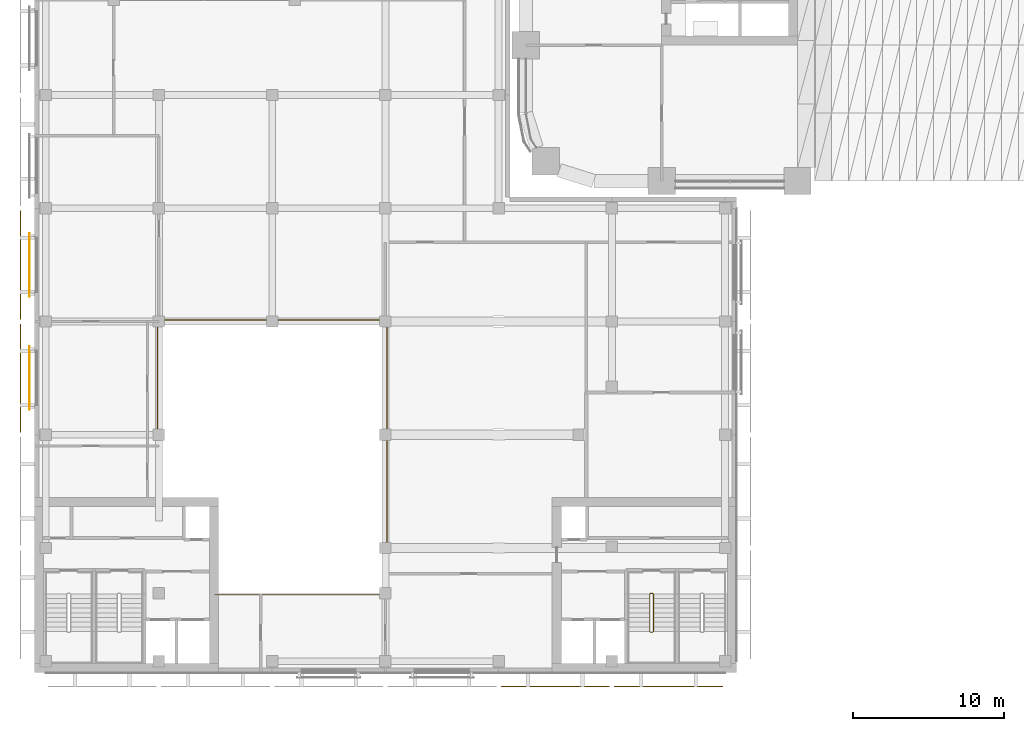
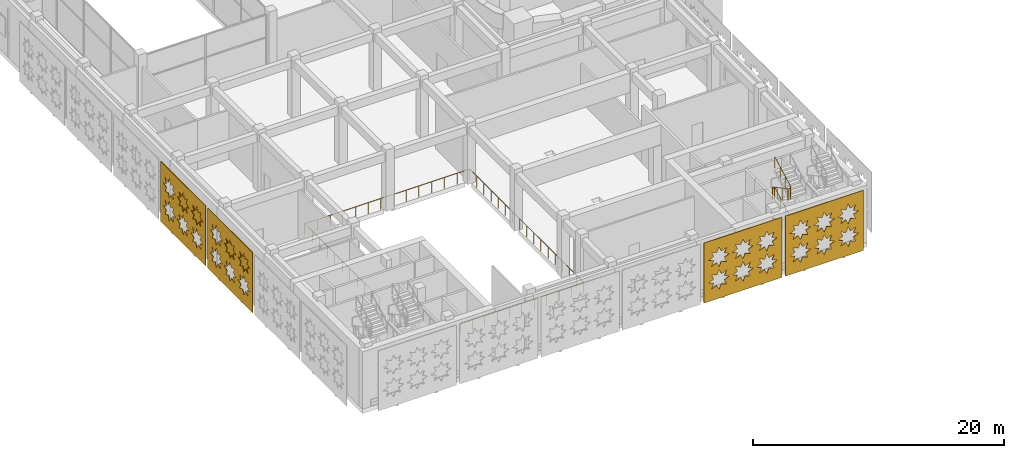
# One storey, part 30 of 46: 6 coverings, 2 railings.
"""IFC4 building model written with IfcOpenShell, lengths in metres."""

from ifc_helpers import new_model, si_unit, direction, frame, origin, origin_2d, place, context, subcontext, project, spatial, polyline, rectangle, circle, outline, extrude, material, layer, layer_set, type_object, element, save


model = new_model("IFC4")

# Units and contexts
model_context = context("Model", 3, precision=1e-05, world=origin(), true_north=direction((0.0, 1.0)))
body_context = subcontext(model_context, "Body", "Model", "MODEL_VIEW")
ifc_project = project(units=[si_unit("LENGTHUNIT", "METRE"), si_unit("AREAUNIT", "SQUARE_METRE"), si_unit("VOLUMEUNIT", "CUBIC_METRE"), si_unit("PLANEANGLEUNIT", "RADIAN"), si_unit("MASSUNIT", "GRAM", prefix="KILO")], contexts=[model_context])

# Site, building, storey
site_placement = place(None, origin())
site = spatial("IfcSite", under=ifc_project, at=site_placement, CompositionType="ELEMENT")
building_placement = place(site_placement, origin())
building = spatial("IfcBuilding", under=site, at=building_placement, Name="Tessera Arch", CompositionType="ELEMENT")
storey_placement = place(building_placement, frame((0.0, 0.0, 8.0)))
storey = spatial("IfcBuildingStorey", under=building, at=storey_placement, Name="L01", CompositionType="ELEMENT", Elevation=8.0)

# Coverings
ifc_material_1 = material(Name="Anodised aluminium pale metal", Category="aluminium")
ifc_layer_1 = layer(ifc_material_1, 0.050048828125)
ifc_layer_set_1 = layer_set([ifc_layer_1], Name="Museum lattice skin panel")
covering_type_1 = type_object("IfcCoveringType", Name="Museum lattice skin panel", PredefinedType="CLADDING", material=ifc_layer_set_1)
covering_1_placement = place(storey_placement, frame((-1.64990234375, -33.449951171875, 5.949951171875), z_axis=(0.0, 1.0, 0.0), x_axis=(1.0, 0.0, 0.0)))
element("IfcCovering", 1, at=covering_1_placement, inside=storey, type_object=covering_type_1, Name="Museum lattice skin L01 1-6", PredefinedType="CLADDING", context=body_context, shape_type="SweptSolid", body=[
    extrude(outline(polyline([(0.0, 0.0), (7.199951171875, 0.0), (7.199951171875, 5.849853515625), (0.0, 5.849853515625), (0.0, 0.0)]), holes=[polyline([(2.367919921875, 4.02490234375), (1.887939453125, 3.822998046875), (2.083984375, 3.341064453125), (1.601806640625, 3.536865234375), (1.39990234375, 3.056884765625), (1.197998046875, 3.536865234375), (0.7158203125, 3.341064453125), (0.911865234375, 3.822998046875), (0.431884765625, 4.02490234375), (0.911865234375, 4.22705078125), (0.7158203125, 4.708984375), (1.197998046875, 4.512939453125), (1.39990234375, 4.992919921875), (1.601806640625, 4.512939453125), (2.083984375, 4.708984375), (1.887939453125, 4.22705078125), (2.367919921875, 4.02490234375)]), polyline([(2.367919921875, 1.824951171875), (1.887939453125, 1.623046875), (2.083984375, 1.140869140625), (1.601806640625, 1.3369140625), (1.39990234375, 0.85693359375), (1.197998046875, 1.3369140625), (0.7158203125, 1.140869140625), (0.911865234375, 1.623046875), (0.431884765625, 1.824951171875), (0.911865234375, 2.02685546875), (0.7158203125, 2.509033203125), (1.197998046875, 2.31298828125), (1.39990234375, 2.79296875), (1.601806640625, 2.31298828125), (2.083984375, 2.509033203125), (1.887939453125, 2.02685546875), (2.367919921875, 1.824951171875)]), polyline([(4.56787109375, 4.02490234375), (4.087890625, 3.822998046875), (4.283935546875, 3.341064453125), (3.802001953125, 3.536865234375), (3.599853515625, 3.056884765625), (3.39794921875, 3.536865234375), (2.916015625, 3.341064453125), (3.11181640625, 3.822998046875), (2.6318359375, 4.02490234375), (3.11181640625, 4.22705078125), (2.916015625, 4.708984375), (3.39794921875, 4.512939453125), (3.599853515625, 4.992919921875), (3.802001953125, 4.512939453125), (4.283935546875, 4.708984375), (4.087890625, 4.22705078125), (4.56787109375, 4.02490234375)]), polyline([(4.56787109375, 1.824951171875), (4.087890625, 1.623046875), (4.283935546875, 1.140869140625), (3.802001953125, 1.3369140625), (3.599853515625, 0.85693359375), (3.39794921875, 1.3369140625), (2.916015625, 1.140869140625), (3.11181640625, 1.623046875), (2.6318359375, 1.824951171875), (3.11181640625, 2.02685546875), (2.916015625, 2.509033203125), (3.39794921875, 2.31298828125), (3.599853515625, 2.79296875), (3.802001953125, 2.31298828125), (4.283935546875, 2.509033203125), (4.087890625, 2.02685546875), (4.56787109375, 1.824951171875)]), polyline([(6.767822265625, 4.02490234375), (6.287841796875, 3.822998046875), (6.48388671875, 3.341064453125), (6.001953125, 3.536865234375), (5.7998046875, 3.056884765625), (5.597900390625, 3.536865234375), (5.115966796875, 3.341064453125), (5.31201171875, 3.822998046875), (4.831787109375, 4.02490234375), (5.31201171875, 4.22705078125), (5.115966796875, 4.708984375), (5.597900390625, 4.512939453125), (5.7998046875, 4.992919921875), (6.001953125, 4.512939453125), (6.48388671875, 4.708984375), (6.287841796875, 4.22705078125), (6.767822265625, 4.02490234375)]), polyline([(6.767822265625, 1.824951171875), (6.287841796875, 1.623046875), (6.48388671875, 1.140869140625), (6.001953125, 1.3369140625), (5.7998046875, 0.85693359375), (5.597900390625, 1.3369140625), (5.115966796875, 1.140869140625), (5.31201171875, 1.623046875), (4.831787109375, 1.824951171875), (5.31201171875, 2.02685546875), (5.115966796875, 2.509033203125), (5.597900390625, 2.31298828125), (5.7998046875, 2.79296875), (6.001953125, 2.31298828125), (6.48388671875, 2.509033203125), (6.287841796875, 2.02685546875), (6.767822265625, 1.824951171875)])]), origin(), (0.0, 0.0, -1.0), 0.050048828125),
])
covering_2_placement = place(storey_placement, frame((5.85009765625, -33.449951171875, 5.949951171875), z_axis=(0.0, 1.0, 0.0), x_axis=(1.0, 0.0, 0.0)))
element("IfcCovering", 2, at=covering_2_placement, inside=storey, type_object=covering_type_1, Name="Museum lattice skin L01 1-7", PredefinedType="CLADDING", context=body_context, shape_type="SweptSolid", body=[
    extrude(outline(polyline([(0.0, 0.0), (7.199951171875, 0.0), (7.199951171875, 5.849853515625), (0.0, 5.849853515625), (0.0, 0.0)]), holes=[polyline([(2.367919921875, 4.02490234375), (1.887939453125, 3.822998046875), (2.083984375, 3.341064453125), (1.601806640625, 3.536865234375), (1.39990234375, 3.056884765625), (1.197998046875, 3.536865234375), (0.7158203125, 3.341064453125), (0.911865234375, 3.822998046875), (0.431884765625, 4.02490234375), (0.911865234375, 4.22705078125), (0.7158203125, 4.708984375), (1.197998046875, 4.512939453125), (1.39990234375, 4.992919921875), (1.601806640625, 4.512939453125), (2.083984375, 4.708984375), (1.887939453125, 4.22705078125), (2.367919921875, 4.02490234375)]), polyline([(2.367919921875, 1.824951171875), (1.887939453125, 1.623046875), (2.083984375, 1.140869140625), (1.601806640625, 1.3369140625), (1.39990234375, 0.85693359375), (1.197998046875, 1.3369140625), (0.7158203125, 1.140869140625), (0.911865234375, 1.623046875), (0.431884765625, 1.824951171875), (0.911865234375, 2.02685546875), (0.7158203125, 2.509033203125), (1.197998046875, 2.31298828125), (1.39990234375, 2.79296875), (1.601806640625, 2.31298828125), (2.083984375, 2.509033203125), (1.887939453125, 2.02685546875), (2.367919921875, 1.824951171875)]), polyline([(4.56787109375, 4.02490234375), (4.087890625, 3.822998046875), (4.283935546875, 3.341064453125), (3.802001953125, 3.536865234375), (3.599853515625, 3.056884765625), (3.39794921875, 3.536865234375), (2.916015625, 3.341064453125), (3.11181640625, 3.822998046875), (2.6318359375, 4.02490234375), (3.11181640625, 4.22705078125), (2.916015625, 4.708984375), (3.39794921875, 4.512939453125), (3.599853515625, 4.992919921875), (3.802001953125, 4.512939453125), (4.283935546875, 4.708984375), (4.087890625, 4.22705078125), (4.56787109375, 4.02490234375)]), polyline([(4.56787109375, 1.824951171875), (4.087890625, 1.623046875), (4.283935546875, 1.140869140625), (3.802001953125, 1.3369140625), (3.599853515625, 0.85693359375), (3.39794921875, 1.3369140625), (2.916015625, 1.140869140625), (3.11181640625, 1.623046875), (2.6318359375, 1.824951171875), (3.11181640625, 2.02685546875), (2.916015625, 2.509033203125), (3.39794921875, 2.31298828125), (3.599853515625, 2.79296875), (3.802001953125, 2.31298828125), (4.283935546875, 2.509033203125), (4.087890625, 2.02685546875), (4.56787109375, 1.824951171875)]), polyline([(6.767822265625, 4.02490234375), (6.287841796875, 3.822998046875), (6.48388671875, 3.341064453125), (6.001953125, 3.536865234375), (5.7998046875, 3.056884765625), (5.597900390625, 3.536865234375), (5.115966796875, 3.341064453125), (5.31201171875, 3.822998046875), (4.831787109375, 4.02490234375), (5.31201171875, 4.22705078125), (5.115966796875, 4.708984375), (5.597900390625, 4.512939453125), (5.7998046875, 4.992919921875), (6.001953125, 4.512939453125), (6.48388671875, 4.708984375), (6.287841796875, 4.22705078125), (6.767822265625, 4.02490234375)]), polyline([(6.767822265625, 1.824951171875), (6.287841796875, 1.623046875), (6.48388671875, 1.140869140625), (6.001953125, 1.3369140625), (5.7998046875, 0.85693359375), (5.597900390625, 1.3369140625), (5.115966796875, 1.140869140625), (5.31201171875, 1.623046875), (4.831787109375, 1.824951171875), (5.31201171875, 2.02685546875), (5.115966796875, 2.509033203125), (5.597900390625, 2.31298828125), (5.7998046875, 2.79296875), (6.001953125, 2.31298828125), (6.48388671875, 2.509033203125), (6.287841796875, 2.02685546875), (6.767822265625, 1.824951171875)])]), origin(), (0.0, 0.0, -1.0), 0.050048828125),
])
covering_3_placement = place(storey_placement, frame((-33.449951171875, -1.949951171875, 5.949951171875), z_axis=(1.0, 0.0, 0.0), x_axis=(0.0, -1.0, 0.0)))
element("IfcCovering", 3, at=covering_3_placement, inside=storey, type_object=covering_type_1, Name="Museum lattice skin L01 6-10", PredefinedType="CLADDING", context=body_context, shape_type="SweptSolid", body=[
    extrude(outline(polyline([(0.0, 0.0), (7.199951171875, 0.0), (7.199951171875, 5.849853515625), (0.0, 5.849853515625), (0.0, 0.0)]), holes=[polyline([(2.3681640625, 4.02490234375), (1.887939453125, 3.822998046875), (2.083984375, 3.341064453125), (1.60205078125, 3.536865234375), (1.400146484375, 3.056884765625), (1.197998046875, 3.536865234375), (0.716064453125, 3.341064453125), (0.912109375, 3.822998046875), (0.43212890625, 4.02490234375), (0.912109375, 4.22705078125), (0.716064453125, 4.708984375), (1.197998046875, 4.512939453125), (1.400146484375, 4.992919921875), (1.60205078125, 4.512939453125), (2.083984375, 4.708984375), (1.887939453125, 4.22705078125), (2.3681640625, 4.02490234375)]), polyline([(2.3681640625, 1.824951171875), (1.887939453125, 1.623046875), (2.083984375, 1.140869140625), (1.60205078125, 1.3369140625), (1.400146484375, 0.85693359375), (1.197998046875, 1.3369140625), (0.716064453125, 1.140869140625), (0.912109375, 1.623046875), (0.43212890625, 1.824951171875), (0.912109375, 2.02685546875), (0.716064453125, 2.509033203125), (1.197998046875, 2.31298828125), (1.400146484375, 2.79296875), (1.60205078125, 2.31298828125), (2.083984375, 2.509033203125), (1.887939453125, 2.02685546875), (2.3681640625, 1.824951171875)]), polyline([(4.568115234375, 4.02490234375), (4.088134765625, 3.822998046875), (4.283935546875, 3.341064453125), (3.802001953125, 3.536865234375), (3.60009765625, 3.056884765625), (3.39794921875, 3.536865234375), (2.916015625, 3.341064453125), (3.112060546875, 3.822998046875), (2.632080078125, 4.02490234375), (3.112060546875, 4.22705078125), (2.916015625, 4.708984375), (3.39794921875, 4.512939453125), (3.60009765625, 4.992919921875), (3.802001953125, 4.512939453125), (4.283935546875, 4.708984375), (4.088134765625, 4.22705078125), (4.568115234375, 4.02490234375)]), polyline([(4.568115234375, 1.824951171875), (4.088134765625, 1.623046875), (4.283935546875, 1.140869140625), (3.802001953125, 1.3369140625), (3.60009765625, 0.85693359375), (3.39794921875, 1.3369140625), (2.916015625, 1.140869140625), (3.112060546875, 1.623046875), (2.632080078125, 1.824951171875), (3.112060546875, 2.02685546875), (2.916015625, 2.509033203125), (3.39794921875, 2.31298828125), (3.60009765625, 2.79296875), (3.802001953125, 2.31298828125), (4.283935546875, 2.509033203125), (4.088134765625, 2.02685546875), (4.568115234375, 1.824951171875)]), polyline([(6.76806640625, 4.02490234375), (6.2880859375, 3.822998046875), (6.484130859375, 3.341064453125), (6.001953125, 3.536865234375), (5.800048828125, 3.056884765625), (5.59814453125, 3.536865234375), (5.115966796875, 3.341064453125), (5.31201171875, 3.822998046875), (4.83203125, 4.02490234375), (5.31201171875, 4.22705078125), (5.115966796875, 4.708984375), (5.59814453125, 4.512939453125), (5.800048828125, 4.992919921875), (6.001953125, 4.512939453125), (6.484130859375, 4.708984375), (6.2880859375, 4.22705078125), (6.76806640625, 4.02490234375)]), polyline([(6.76806640625, 1.824951171875), (6.2880859375, 1.623046875), (6.484130859375, 1.140869140625), (6.001953125, 1.3369140625), (5.800048828125, 0.85693359375), (5.59814453125, 1.3369140625), (5.115966796875, 1.140869140625), (5.31201171875, 1.623046875), (4.83203125, 1.824951171875), (5.31201171875, 2.02685546875), (5.115966796875, 2.509033203125), (5.59814453125, 2.31298828125), (5.800048828125, 2.79296875), (6.001953125, 2.31298828125), (6.484130859375, 2.509033203125), (6.2880859375, 2.02685546875), (6.76806640625, 1.824951171875)])]), origin(), (0.0, 0.0, -1.0), 0.050048828125),
])
covering_4_placement = place(storey_placement, frame((-33.449951171875, -9.449951171875, 5.949951171875), z_axis=(1.0, 0.0, 0.0), x_axis=(0.0, -1.0, 0.0)))
element("IfcCovering", 4, at=covering_4_placement, inside=storey, type_object=covering_type_1, Name="Museum lattice skin L01 6-11", PredefinedType="CLADDING", context=body_context, shape_type="SweptSolid", body=[
    extrude(outline(polyline([(0.0, 0.0), (7.199951171875, 0.0), (7.199951171875, 5.849853515625), (0.0, 5.849853515625), (0.0, 0.0)]), holes=[polyline([(2.3681640625, 4.02490234375), (1.887939453125, 3.822998046875), (2.083984375, 3.341064453125), (1.60205078125, 3.536865234375), (1.400146484375, 3.056884765625), (1.197998046875, 3.536865234375), (0.716064453125, 3.341064453125), (0.912109375, 3.822998046875), (0.43212890625, 4.02490234375), (0.912109375, 4.22705078125), (0.716064453125, 4.708984375), (1.197998046875, 4.512939453125), (1.400146484375, 4.992919921875), (1.60205078125, 4.512939453125), (2.083984375, 4.708984375), (1.887939453125, 4.22705078125), (2.3681640625, 4.02490234375)]), polyline([(2.3681640625, 1.824951171875), (1.887939453125, 1.623046875), (2.083984375, 1.140869140625), (1.60205078125, 1.3369140625), (1.400146484375, 0.85693359375), (1.197998046875, 1.3369140625), (0.716064453125, 1.140869140625), (0.912109375, 1.623046875), (0.43212890625, 1.824951171875), (0.912109375, 2.02685546875), (0.716064453125, 2.509033203125), (1.197998046875, 2.31298828125), (1.400146484375, 2.79296875), (1.60205078125, 2.31298828125), (2.083984375, 2.509033203125), (1.887939453125, 2.02685546875), (2.3681640625, 1.824951171875)]), polyline([(4.568115234375, 4.02490234375), (4.088134765625, 3.822998046875), (4.283935546875, 3.341064453125), (3.802001953125, 3.536865234375), (3.60009765625, 3.056884765625), (3.39794921875, 3.536865234375), (2.916015625, 3.341064453125), (3.112060546875, 3.822998046875), (2.632080078125, 4.02490234375), (3.112060546875, 4.22705078125), (2.916015625, 4.708984375), (3.39794921875, 4.512939453125), (3.60009765625, 4.992919921875), (3.802001953125, 4.512939453125), (4.283935546875, 4.708984375), (4.088134765625, 4.22705078125), (4.568115234375, 4.02490234375)]), polyline([(4.568115234375, 1.824951171875), (4.088134765625, 1.623046875), (4.283935546875, 1.140869140625), (3.802001953125, 1.3369140625), (3.60009765625, 0.85693359375), (3.39794921875, 1.3369140625), (2.916015625, 1.140869140625), (3.112060546875, 1.623046875), (2.632080078125, 1.824951171875), (3.112060546875, 2.02685546875), (2.916015625, 2.509033203125), (3.39794921875, 2.31298828125), (3.60009765625, 2.79296875), (3.802001953125, 2.31298828125), (4.283935546875, 2.509033203125), (4.088134765625, 2.02685546875), (4.568115234375, 1.824951171875)]), polyline([(6.76806640625, 4.02490234375), (6.2880859375, 3.822998046875), (6.484130859375, 3.341064453125), (6.001953125, 3.536865234375), (5.800048828125, 3.056884765625), (5.59814453125, 3.536865234375), (5.115966796875, 3.341064453125), (5.31201171875, 3.822998046875), (4.83203125, 4.02490234375), (5.31201171875, 4.22705078125), (5.115966796875, 4.708984375), (5.59814453125, 4.512939453125), (5.800048828125, 4.992919921875), (6.001953125, 4.512939453125), (6.484130859375, 4.708984375), (6.2880859375, 4.22705078125), (6.76806640625, 4.02490234375)]), polyline([(6.76806640625, 1.824951171875), (6.2880859375, 1.623046875), (6.484130859375, 1.140869140625), (6.001953125, 1.3369140625), (5.800048828125, 0.85693359375), (5.59814453125, 1.3369140625), (5.115966796875, 1.140869140625), (5.31201171875, 1.623046875), (4.83203125, 1.824951171875), (5.31201171875, 2.02685546875), (5.115966796875, 2.509033203125), (5.59814453125, 2.31298828125), (5.800048828125, 2.79296875), (6.001953125, 2.31298828125), (6.484130859375, 2.509033203125), (6.2880859375, 2.02685546875), (6.76806640625, 1.824951171875)])]), origin(), (0.0, 0.0, -1.0), 0.050048828125),
])

# Railing
ifc_material_2 = material(Name="Stainless steel and clear glass", Category="steel")
railing_type_1 = type_object("IfcRailingType", Name="Museum roof guard 1100", PredefinedType="GUARDRAIL", material=ifc_material_2)
railing_1_placement = place(storey_placement, frame((-24.39990234375, -21.199951171875, 0.0)))
element("IfcRailing", 5, at=railing_1_placement, inside=storey, type_object=railing_type_1, Name="Atrium guard L01", PredefinedType="GUARDRAIL", context=body_context, shape_type="SweptSolid", body=[
    extrude(circle(Radius=0.02490234375, at=origin_2d()), frame((0.0, -0.00390625, 1.0751953125), z_axis=(0.0, 1.0, 0.0), x_axis=(-1.0, 0.0, 0.0)), (0.0, 0.0, 1.0), 12.008056640625),
    extrude(circle(Radius=0.02490234375, at=origin_2d()), frame((-0.00390625, 12.0, 1.0751953125), z_axis=(1.0, 0.0, 0.0), x_axis=(0.0, 1.0, 0.0)), (0.0, 0.0, 1.0), 15.2080078125),
    extrude(circle(Radius=0.02490234375, at=origin_2d()), frame((15.199951171875, 12.00390625, 1.0751953125), z_axis=(0.0, -1.0, 0.0), x_axis=(1.0, 0.0, 0.0)), (0.0, 0.0, 1.0), 18.2080078125),
    extrude(circle(Radius=0.02490234375, at=origin_2d()), frame((15.203857421875, -6.199951171875, 1.0751953125), z_axis=(-1.0, 0.0, 0.0), x_axis=(0.0, -1.0, 0.0)), (0.0, 0.0, 1.0), 11.408203125),
    extrude(circle(Radius=0.02001953125, at=origin_2d()), origin(), (0.0, 0.0, 1.0), 1.06201171875),
    extrude(circle(Radius=0.02001953125, at=origin_2d()), frame((0.0, 1.199951171875, 0.0)), (0.0, 0.0, 1.0), 1.06201171875),
    extrude(circle(Radius=0.02001953125, at=origin_2d()), frame((0.0, 2.39990234375, 0.0)), (0.0, 0.0, 1.0), 1.06201171875),
    extrude(circle(Radius=0.02001953125, at=origin_2d()), frame((0.0, 3.60009765625, 0.0)), (0.0, 0.0, 1.0), 1.06201171875),
    extrude(circle(Radius=0.02001953125, at=origin_2d()), frame((0.0, 4.800048828125, 0.0)), (0.0, 0.0, 1.0), 1.06201171875),
    extrude(circle(Radius=0.02001953125, at=origin_2d()), frame((0.0, 6.0, 0.0)), (0.0, 0.0, 1.0), 1.06201171875),
    extrude(circle(Radius=0.02001953125, at=origin_2d()), frame((0.0, 7.199951171875, 0.0)), (0.0, 0.0, 1.0), 1.06201171875),
    extrude(circle(Radius=0.02001953125, at=origin_2d()), frame((0.0, 8.39990234375, 0.0)), (0.0, 0.0, 1.0), 1.06201171875),
    extrude(circle(Radius=0.02001953125, at=origin_2d()), frame((0.0, 9.60009765625, 0.0)), (0.0, 0.0, 1.0), 1.06201171875),
    extrude(circle(Radius=0.02001953125, at=origin_2d()), frame((0.0, 10.800048828125, 0.0)), (0.0, 0.0, 1.0), 1.06201171875),
    extrude(circle(Radius=0.02001953125, at=origin_2d()), frame((0.0, 12.0, 0.0)), (0.0, 0.0, 1.0), 1.06201171875),
    extrude(circle(Radius=0.02001953125, at=origin_2d()), frame((1.169189453125, 12.0, 0.0)), (0.0, 0.0, 1.0), 1.06201171875),
    extrude(circle(Radius=0.02001953125, at=origin_2d()), frame((2.33837890625, 12.0, 0.0)), (0.0, 0.0, 1.0), 1.06201171875),
    extrude(circle(Radius=0.02001953125, at=origin_2d()), frame((3.507568359375, 12.0, 0.0)), (0.0, 0.0, 1.0), 1.06201171875),
    extrude(circle(Radius=0.02001953125, at=origin_2d()), frame((4.677001953125, 12.0, 0.0)), (0.0, 0.0, 1.0), 1.06201171875),
    extrude(circle(Radius=0.02001953125, at=origin_2d()), frame((5.84619140625, 12.0, 0.0)), (0.0, 0.0, 1.0), 1.06201171875),
    extrude(circle(Radius=0.02001953125, at=origin_2d()), frame((7.015380859375, 12.0, 0.0)), (0.0, 0.0, 1.0), 1.06201171875),
    extrude(circle(Radius=0.02001953125, at=origin_2d()), frame((8.1845703125, 12.0, 0.0)), (0.0, 0.0, 1.0), 1.06201171875),
    extrude(circle(Radius=0.02001953125, at=origin_2d()), frame((9.353759765625, 12.0, 0.0)), (0.0, 0.0, 1.0), 1.06201171875),
    extrude(circle(Radius=0.02001953125, at=origin_2d()), frame((10.52294921875, 12.0, 0.0)), (0.0, 0.0, 1.0), 1.06201171875),
    extrude(circle(Radius=0.02001953125, at=origin_2d()), frame((11.6923828125, 12.0, 0.0)), (0.0, 0.0, 1.0), 1.06201171875),
    extrude(circle(Radius=0.02001953125, at=origin_2d()), frame((12.861572265625, 12.0, 0.0)), (0.0, 0.0, 1.0), 1.06201171875),
    extrude(circle(Radius=0.02001953125, at=origin_2d()), frame((14.03076171875, 12.0, 0.0)), (0.0, 0.0, 1.0), 1.06201171875),
    extrude(circle(Radius=0.02001953125, at=origin_2d()), frame((15.199951171875, 12.0, 0.0)), (0.0, 0.0, 1.0), 1.06201171875),
    extrude(circle(Radius=0.02001953125, at=origin_2d()), frame((15.199951171875, 10.862548828125, 0.0)), (0.0, 0.0, 1.0), 1.06201171875),
    extrude(circle(Radius=0.02001953125, at=origin_2d()), frame((15.199951171875, 9.72509765625, 0.0)), (0.0, 0.0, 1.0), 1.06201171875),
    extrude(circle(Radius=0.02001953125, at=origin_2d()), frame((15.199951171875, 8.58740234375, 0.0)), (0.0, 0.0, 1.0), 1.06201171875),
    extrude(circle(Radius=0.02001953125, at=origin_2d()), frame((15.199951171875, 7.449951171875, 0.0)), (0.0, 0.0, 1.0), 1.06201171875),
    extrude(circle(Radius=0.02001953125, at=origin_2d()), frame((15.199951171875, 6.3125, 0.0)), (0.0, 0.0, 1.0), 1.06201171875),
    extrude(circle(Radius=0.02001953125, at=origin_2d()), frame((15.199951171875, 5.175048828125, 0.0)), (0.0, 0.0, 1.0), 1.06201171875),
    extrude(circle(Radius=0.02001953125, at=origin_2d()), frame((15.199951171875, 4.03759765625, 0.0)), (0.0, 0.0, 1.0), 1.06201171875),
    extrude(circle(Radius=0.02001953125, at=origin_2d()), frame((15.199951171875, 2.89990234375, 0.0)), (0.0, 0.0, 1.0), 1.06201171875),
    extrude(circle(Radius=0.02001953125, at=origin_2d()), frame((15.199951171875, 1.762451171875, 0.0)), (0.0, 0.0, 1.0), 1.06201171875),
    extrude(circle(Radius=0.02001953125, at=origin_2d()), frame((15.199951171875, 0.625, 0.0)), (0.0, 0.0, 1.0), 1.06201171875),
    extrude(circle(Radius=0.02001953125, at=origin_2d()), frame((15.199951171875, -0.512451171875, 0.0)), (0.0, 0.0, 1.0), 1.06201171875),
    extrude(circle(Radius=0.02001953125, at=origin_2d()), frame((15.199951171875, -1.64990234375, 0.0)), (0.0, 0.0, 1.0), 1.06201171875),
    extrude(circle(Radius=0.02001953125, at=origin_2d()), frame((15.199951171875, -2.787353515625, 0.0)), (0.0, 0.0, 1.0), 1.06201171875),
    extrude(circle(Radius=0.02001953125, at=origin_2d()), frame((15.199951171875, -3.925048828125, 0.0)), (0.0, 0.0, 1.0), 1.06201171875),
    extrude(circle(Radius=0.02001953125, at=origin_2d()), frame((15.199951171875, -5.0625, 0.0)), (0.0, 0.0, 1.0), 1.06201171875),
    extrude(circle(Radius=0.02001953125, at=origin_2d()), frame((15.199951171875, -6.199951171875, 0.0)), (0.0, 0.0, 1.0), 1.06201171875),
    extrude(circle(Radius=0.02001953125, at=origin_2d()), frame((14.06005859375, -6.199951171875, 0.0)), (0.0, 0.0, 1.0), 1.06201171875),
    extrude(circle(Radius=0.02001953125, at=origin_2d()), frame((12.919921875, -6.199951171875, 0.0)), (0.0, 0.0, 1.0), 1.06201171875),
    extrude(circle(Radius=0.02001953125, at=origin_2d()), frame((11.77978515625, -6.199951171875, 0.0)), (0.0, 0.0, 1.0), 1.06201171875),
    extrude(circle(Radius=0.02001953125, at=origin_2d()), frame((10.639892578125, -6.199951171875, 0.0)), (0.0, 0.0, 1.0), 1.06201171875),
    extrude(circle(Radius=0.02001953125, at=origin_2d()), frame((9.5, -6.199951171875, 0.0)), (0.0, 0.0, 1.0), 1.06201171875),
    extrude(circle(Radius=0.02001953125, at=origin_2d()), frame((8.35986328125, -6.199951171875, 0.0)), (0.0, 0.0, 1.0), 1.06201171875),
    extrude(circle(Radius=0.02001953125, at=origin_2d()), frame((7.219970703125, -6.199951171875, 0.0)), (0.0, 0.0, 1.0), 1.06201171875),
    extrude(circle(Radius=0.02001953125, at=origin_2d()), frame((6.079833984375, -6.199951171875, 0.0)), (0.0, 0.0, 1.0), 1.06201171875),
    extrude(circle(Radius=0.02001953125, at=origin_2d()), frame((4.93994140625, -6.199951171875, 0.0)), (0.0, 0.0, 1.0), 1.06201171875),
    extrude(circle(Radius=0.02001953125, at=origin_2d()), frame((3.7998046875, -6.199951171875, 0.0)), (0.0, 0.0, 1.0), 1.06201171875),
])

# Coverings
ifc_material_3 = material(Name="Anodised aluminium pale metal", Category="aluminium")
ifc_layer_2 = layer(ifc_material_3, 0.0400390625)
ifc_layer_set_2 = layer_set([ifc_layer_2], Name="Museum screen panel")
covering_type_2 = type_object("IfcCoveringType", Name="Museum screen panel", PredefinedType="CLADDING", material=ifc_layer_set_2)
for number, where, z_axis, x_axis, name in (
    (6, (-32.8701171875, -5.550048828125, 2.10009765625), (0.0, 0.0, 1.0), (0.0, -1.0, 0.0), "Screen panel museum L01 6-10"),
    (7, (-32.8701171875, -13.050048828125, 2.10009765625), (0.0, 0.0, 1.0), (0.0, -1.0, 0.0), "Screen panel museum L01 6-11"),
):
    element("IfcCovering", number, at=place(storey_placement, frame(where, z_axis=z_axis, x_axis=x_axis)), inside=storey, type_object=covering_type_2, Name=name, PredefinedType="CLADDING", context=body_context, shape_type="SweptSolid", body=[
        extrude(rectangle(XDim=4.199951171875, YDim=0.0400390625, at=origin_2d()), origin(), (0.0, 0.0, 1.0), 1.800048828125),
    ])

# Railing
ifc_material_4 = material(Name="Painted steel balustrade", Category="steel")
railing_type_2 = type_object("IfcRailingType", Name="Stair guard 1100", PredefinedType="GUARDRAIL", material=ifc_material_4)
railing_2_placement = place(storey_placement, frame((8.25, -27.300048828125, 0.0)))
element("IfcRailing", 8, at=railing_2_placement, inside=storey, type_object=railing_type_2, Name="L01 M3b stair guard 1", PredefinedType="GUARDRAIL", context=body_context, shape_type="SweptSolid", body=[
    extrude(circle(Radius=0.02392578125, at=origin_2d()), frame((-0.00390625, 0.0, 1.076171875), z_axis=(1.0, 0.0, 0.0), x_axis=(0.0, 1.0, 0.0)), (0.0, 0.0, 1.0), 0.157958984375),
    extrude(circle(Radius=0.02392578125, at=origin_2d()), frame((0.15283203125, 0.000732421875, 1.073486328125), z_axis=(-0.754182335027, -0.188775798145, 0.628945707965), x_axis=(0.242814311512, -0.970072785993, 0.0)), (0.0, 0.0, 1.0), 0.273193359375),
    extrude(circle(Radius=0.02392578125, at=origin_2d()), frame((-0.050048828125, -0.046630859375, 1.240966796875), z_axis=(0.0, -0.880785522881, 0.473515430248), x_axis=(1.0, 0.0, 0.0)), (0.0, 0.0, 1.0), 2.82373046875),
    extrude(circle(Radius=0.02392578125, at=origin_2d()), frame((-0.052978515625, -2.527099609375, 2.576171875), z_axis=(0.708833529934, -0.705375805398, 0.0), x_axis=(0.705375805398, 0.708833529934, 0.0)), (0.0, 0.0, 1.0), 0.07861328125),
    extrude(circle(Radius=0.02392578125, at=origin_2d()), frame((-0.00390625, -2.579833984375, 2.576171875), z_axis=(1.0, 0.0, 0.0), x_axis=(0.0, 1.0, 0.0)), (0.0, 0.0, 1.0), 0.157958984375),
    extrude(circle(Radius=0.02392578125, at=origin_2d()), frame((0.148681640625, -2.5810546875, 2.572265625), z_axis=(0.276389281352, 0.275041040955, 0.920848191041), x_axis=(-0.705375805398, 0.708833529934, 0.0)), (0.0, 0.0, 1.0), 0.18896484375),
    extrude(circle(Radius=0.02392578125, at=origin_2d()), frame((0.199951171875, -2.533447265625, 2.740966796875), z_axis=(0.0, 0.880785522881, 0.473515430248), x_axis=(-1.0, 0.0, 0.0)), (0.0, 0.0, 1.0), 2.82373046875),
    extrude(circle(Radius=0.02392578125, at=origin_2d()), frame((0.203857421875, -0.051025390625, 4.076171875), z_axis=(-0.970072785993, 0.242814311512, 0.0), x_axis=(-0.242814311512, -0.970072785993, 0.0)), (0.0, 0.0, 1.0), 0.214111328125),
    extrude(circle(Radius=0.02392578125, at=origin_2d()), frame((-0.00390625, 0.0, 4.076171875), z_axis=(1.0, 0.0, 0.0), x_axis=(0.0, 1.0, 0.0)), (0.0, 0.0, 1.0), 0.157958984375),
    extrude(circle(Radius=0.02392578125, at=origin_2d()), frame((0.15283203125, 0.000732421875, 4.073486328125), z_axis=(-0.754182335027, -0.188775798145, 0.628945707965), x_axis=(0.242814311512, -0.970072785993, 0.0)), (0.0, 0.0, 1.0), 0.273193359375),
    extrude(circle(Radius=0.02392578125, at=origin_2d()), frame((-0.050048828125, -0.046630859375, 4.240966796875), z_axis=(0.0, -0.880785522881, 0.473515430248), x_axis=(1.0, 0.0, 0.0)), (0.0, 0.0, 1.0), 2.82373046875),
    extrude(circle(Radius=0.02392578125, at=origin_2d()), frame((-0.052978515625, -2.527099609375, 5.576171875), z_axis=(0.708833529934, -0.705375805398, 0.0), x_axis=(0.705375805398, 0.708833529934, 0.0)), (0.0, 0.0, 1.0), 0.07861328125),
    extrude(circle(Radius=0.02392578125, at=origin_2d()), frame((-0.00390625, -2.579833984375, 5.576171875), z_axis=(1.0, 0.0, 0.0), x_axis=(0.0, 1.0, 0.0)), (0.0, 0.0, 1.0), 0.157958984375),
    extrude(circle(Radius=0.02392578125, at=origin_2d()), frame((0.148681640625, -2.5810546875, 5.572265625), z_axis=(0.276389281352, 0.275041040955, 0.920848191041), x_axis=(-0.705375805398, 0.708833529934, 0.0)), (0.0, 0.0, 1.0), 0.18896484375),
    extrude(circle(Radius=0.02392578125, at=origin_2d()), frame((0.199951171875, -2.533447265625, 5.740966796875), z_axis=(0.0, 0.880785522881, 0.473515430248), x_axis=(-1.0, 0.0, 0.0)), (0.0, 0.0, 1.0), 2.82373046875),
    extrude(circle(Radius=0.02099609375, at=origin_2d()), origin(), (0.0, 0.0, 1.0), 1.06396484375),
    extrude(circle(Radius=0.02099609375, at=origin_2d()), frame((0.14990234375, 0.0, 0.0)), (0.0, 0.0, 1.0), 1.06396484375),
    extrude(circle(Radius=0.02099609375, at=origin_2d()), frame((-0.050048828125, -0.050048828125, 0.166748046875)), (0.0, 0.0, 1.0), 1.06396484375),
    extrude(circle(Radius=0.02099609375, at=origin_2d()), frame((-0.050048828125, -0.876708984375, 0.611083984375)), (0.0, 0.0, 1.0), 1.06396484375),
    extrude(circle(Radius=0.02099609375, at=origin_2d()), frame((-0.050048828125, -1.703369140625, 1.0556640625)), (0.0, 0.0, 1.0), 1.06396484375),
    extrude(circle(Radius=0.02099609375, at=origin_2d()), frame((-0.050048828125, -2.530029296875, 1.5)), (0.0, 0.0, 1.0), 1.06396484375),
    extrude(circle(Radius=0.02099609375, at=origin_2d()), frame((0.0, -2.579833984375, 1.5)), (0.0, 0.0, 1.0), 1.06396484375),
    extrude(circle(Radius=0.02099609375, at=origin_2d()), frame((0.14990234375, -2.579833984375, 1.5)), (0.0, 0.0, 1.0), 1.06396484375),
    extrude(circle(Radius=0.02099609375, at=origin_2d()), frame((0.199951171875, -2.530029296875, 1.666748046875)), (0.0, 0.0, 1.0), 1.06396484375),
    extrude(circle(Radius=0.02099609375, at=origin_2d()), frame((0.199951171875, -1.703369140625, 2.111083984375)), (0.0, 0.0, 1.0), 1.06396484375),
    extrude(circle(Radius=0.02099609375, at=origin_2d()), frame((0.199951171875, -0.876708984375, 2.5556640625)), (0.0, 0.0, 1.0), 1.06396484375),
    extrude(circle(Radius=0.02099609375, at=origin_2d()), frame((0.199951171875, -0.050048828125, 3.0)), (0.0, 0.0, 1.0), 1.06396484375),
    extrude(circle(Radius=0.02099609375, at=origin_2d()), frame((0.0, 0.0, 3.0)), (0.0, 0.0, 1.0), 1.06396484375),
    extrude(circle(Radius=0.02099609375, at=origin_2d()), frame((0.14990234375, 0.0, 3.0)), (0.0, 0.0, 1.0), 1.06396484375),
    extrude(circle(Radius=0.02099609375, at=origin_2d()), frame((-0.050048828125, -0.050048828125, 3.166748046875)), (0.0, 0.0, 1.0), 1.06396484375),
    extrude(circle(Radius=0.02099609375, at=origin_2d()), frame((-0.050048828125, -0.876708984375, 3.611083984375)), (0.0, 0.0, 1.0), 1.06396484375),
    extrude(circle(Radius=0.02099609375, at=origin_2d()), frame((-0.050048828125, -1.703369140625, 4.0556640625)), (0.0, 0.0, 1.0), 1.06396484375),
    extrude(circle(Radius=0.02099609375, at=origin_2d()), frame((-0.050048828125, -2.530029296875, 4.5)), (0.0, 0.0, 1.0), 1.06396484375),
    extrude(circle(Radius=0.02099609375, at=origin_2d()), frame((0.0, -2.579833984375, 4.5)), (0.0, 0.0, 1.0), 1.06396484375),
    extrude(circle(Radius=0.02099609375, at=origin_2d()), frame((0.14990234375, -2.579833984375, 4.5)), (0.0, 0.0, 1.0), 1.06396484375),
    extrude(circle(Radius=0.02099609375, at=origin_2d()), frame((0.199951171875, -2.530029296875, 4.666748046875)), (0.0, 0.0, 1.0), 1.06396484375),
    extrude(circle(Radius=0.02099609375, at=origin_2d()), frame((0.199951171875, -1.703369140625, 5.111083984375)), (0.0, 0.0, 1.0), 1.06396484375),
    extrude(circle(Radius=0.02099609375, at=origin_2d()), frame((0.199951171875, -0.876708984375, 5.5556640625)), (0.0, 0.0, 1.0), 1.06396484375),
    extrude(circle(Radius=0.02099609375, at=origin_2d()), frame((0.199951171875, -0.050048828125, 6.0)), (0.0, 0.0, 1.0), 1.06396484375),
])

save(model, "model.ifc")
